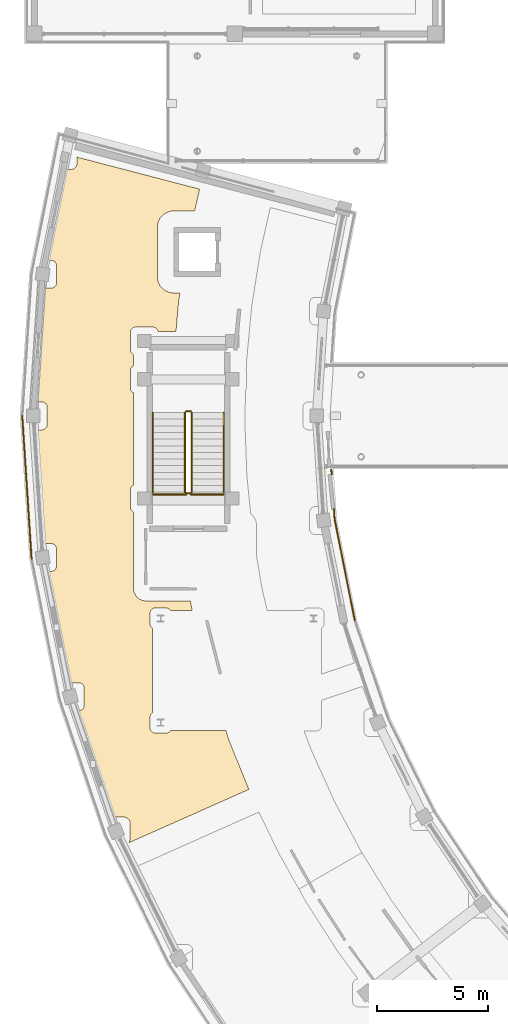
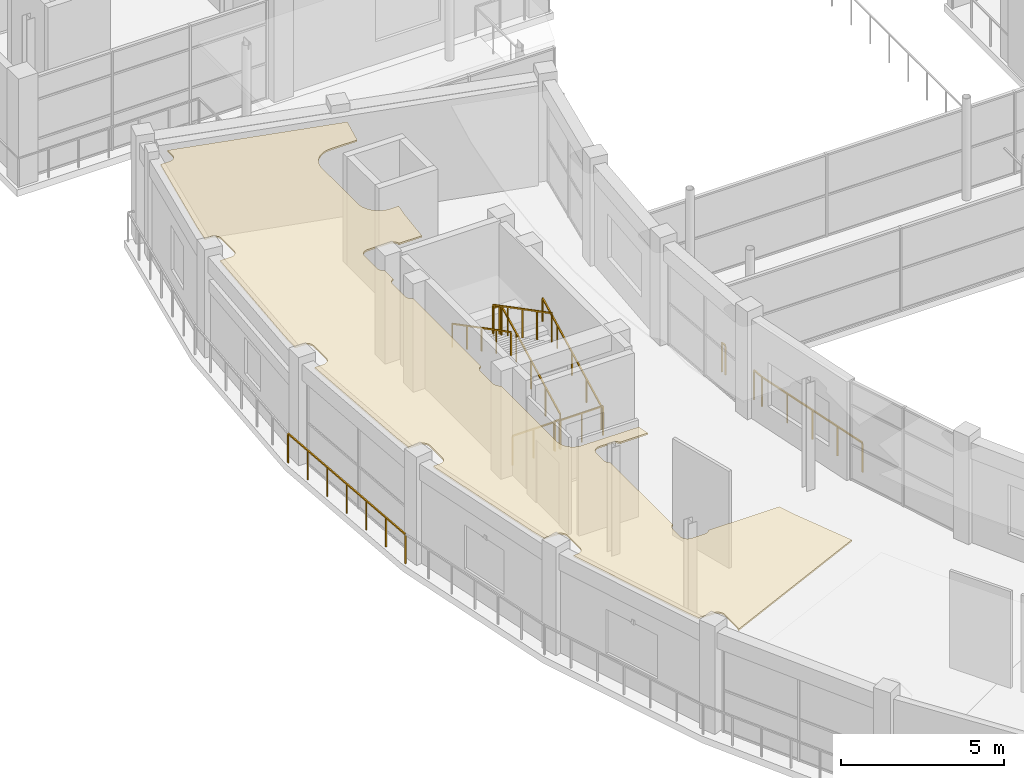
# One storey, part 60 of 72: 12 railings, 1 covering.
"""IFC4 building model written with IfcOpenShell, lengths in metres."""

from ifc_helpers import new_model, si_unit, direction, frame, origin, origin_2d, place, context, subcontext, project, spatial, polyline, rectangle, outline, extrude, material, layer, layer_set, type_object, element, save


model = new_model("IFC4")

# Units and contexts
model_context = context("Model", 3, precision=1e-05, world=origin(), true_north=direction((0.0, 1.0)))
body_context = subcontext(model_context, "Body", "Model", "MODEL_VIEW")
ifc_project = project(units=[si_unit("LENGTHUNIT", "METRE"), si_unit("AREAUNIT", "SQUARE_METRE"), si_unit("VOLUMEUNIT", "CUBIC_METRE"), si_unit("PLANEANGLEUNIT", "RADIAN"), si_unit("MASSUNIT", "GRAM", prefix="KILO")], contexts=[model_context])

# Site, building, storey
site_placement = place(None, origin())
site = spatial("IfcSite", under=ifc_project, at=site_placement, CompositionType="ELEMENT")
building_placement = place(site_placement, origin())
building = spatial("IfcBuilding", under=site, at=building_placement, Name="Saryqyr Civic Hall", CompositionType="ELEMENT")
storey_placement = place(building_placement, frame((0.0, 0.0, 17.25)))
storey = spatial("IfcBuildingStorey", under=building, at=storey_placement, Name="L04", CompositionType="ELEMENT", Elevation=17.25)

# Covering
ifc_material_1 = material(Name="Mineral-fibre acoustic ceiling tile", Category="acoustic_tile")
ifc_layer_1 = layer(ifc_material_1, 0.06005859375, Name="Mineral-fibre acoustic ceiling tile")
ifc_layer_set_1 = layer_set([ifc_layer_1], Name="Mineral-fibre acoustic ceiling tile")
covering_type = type_object("IfcCoveringType", Name="INT-COV-CEIL-60", PredefinedType="CEILING", material=ifc_layer_set_1)
covering_placement = place(storey_placement, frame((0.0, 0.0, 3.699951171875)))
element("IfcCovering", 1, at=covering_placement, inside=storey, type_object=covering_type, Name="Acoustic ceiling Staff Dining Hall & Steppe Panorama Canteen", PredefinedType="CEILING", context=body_context, shape_type="SweptSolid", body=[
    extrude(outline(polyline([(9.928466796875, 70.68798828125), (10.049560546875, 70.68798828125), (10.07421875, 70.689208984375), (10.098388671875, 70.692626953125), (10.122314453125, 70.69873046875), (10.145263671875, 70.706787109375), (10.16748046875, 70.71728515625), (10.1884765625, 70.72998046875), (10.208251953125, 70.74462890625), (10.226318359375, 70.760986328125), (10.242919921875, 70.779296875), (10.257568359375, 70.799072265625), (10.27001953125, 70.820068359375), (10.280517578125, 70.84228515625), (10.288818359375, 70.865234375), (10.294921875, 70.88916015625), (10.29833984375, 70.913330078125), (10.299560546875, 70.93798828125), (10.299560546875, 71.697998046875), (10.29833984375, 71.722412109375), (10.294921875, 71.74658203125), (10.288818359375, 71.7705078125), (10.280517578125, 71.793701171875), (10.27001953125, 71.815673828125), (10.257568359375, 71.8369140625), (10.242919921875, 71.8564453125), (10.226318359375, 71.874755859375), (10.208251953125, 71.89111328125), (10.1884765625, 71.90576171875), (10.16748046875, 71.91845703125), (10.145263671875, 71.928955078125), (10.122314453125, 71.93701171875), (10.098388671875, 71.943115234375), (10.07421875, 71.94677734375), (10.049560546875, 71.947998046875), (9.6064453125, 71.947998046875), (9.47021484375, 72.480712890625), (8.597412109375, 76.867919921875), (8.585205078125, 76.97412109375), (8.79931640625, 76.97412109375), (8.82373046875, 76.975341796875), (8.847900390625, 76.97900390625), (8.871826171875, 76.985107421875), (8.89501953125, 76.9931640625), (8.9169921875, 77.003662109375), (8.93798828125, 77.016357421875), (8.957763671875, 77.031005859375), (8.97607421875, 77.04736328125), (8.992431640625, 77.065673828125), (9.007080078125, 77.085205078125), (9.019775390625, 77.1064453125), (9.0302734375, 77.12841796875), (9.038330078125, 77.151611328125), (9.04443359375, 77.17529296875), (9.048095703125, 77.19970703125), (9.04931640625, 77.22412109375), (9.04931640625, 77.984130859375), (9.048095703125, 78.0087890625), (9.04443359375, 78.032958984375), (9.038330078125, 78.056884765625), (9.0302734375, 78.079833984375), (9.019775390625, 78.10205078125), (9.007080078125, 78.123046875), (8.992431640625, 78.142822265625), (8.97607421875, 78.160888671875), (8.957763671875, 78.177490234375), (8.93798828125, 78.192138671875), (8.9169921875, 78.20458984375), (8.89501953125, 78.215087890625), (8.871826171875, 78.223388671875), (8.847900390625, 78.2294921875), (8.82373046875, 78.23291015625), (8.79931640625, 78.234130859375), (8.43896484375, 78.234130859375), (8.37060546875, 78.822265625), (8.075927734375, 83.318359375), (8.076904296875, 83.3701171875), (8.3798828125, 83.3701171875), (8.404541015625, 83.37109375), (8.4287109375, 83.374755859375), (8.45263671875, 83.380859375), (8.4755859375, 83.388916015625), (8.497802734375, 83.3994140625), (8.518798828125, 83.412109375), (8.53857421875, 83.4267578125), (8.556884765625, 83.443115234375), (8.5732421875, 83.46142578125), (8.587890625, 83.481201171875), (8.6005859375, 83.502197265625), (8.611083984375, 83.5244140625), (8.619140625, 83.54736328125), (8.625244140625, 83.5712890625), (8.62890625, 83.595458984375), (8.6298828125, 83.6201171875), (8.6298828125, 84.3798828125), (8.62890625, 84.404541015625), (8.625244140625, 84.4287109375), (8.619140625, 84.45263671875), (8.611083984375, 84.4755859375), (8.6005859375, 84.497802734375), (8.587890625, 84.518798828125), (8.5732421875, 84.53857421875), (8.556884765625, 84.556884765625), (8.53857421875, 84.5732421875), (8.518798828125, 84.587890625), (8.497802734375, 84.6005859375), (8.4755859375, 84.611083984375), (8.45263671875, 84.619140625), (8.4287109375, 84.625244140625), (8.404541015625, 84.62890625), (8.3798828125, 84.6298828125), (8.10107421875, 84.6298828125), (8.11279296875, 85.2431640625), (8.416748046875, 89.765869140625), (8.79931640625, 89.765869140625), (8.82373046875, 89.76708984375), (8.847900390625, 89.7705078125), (8.871826171875, 89.776611328125), (8.89501953125, 89.784912109375), (8.9169921875, 89.79541015625), (8.93798828125, 89.807861328125), (8.957763671875, 89.822509765625), (8.97607421875, 89.839111328125), (8.992431640625, 89.857177734375), (9.007080078125, 89.876953125), (9.019775390625, 89.89794921875), (9.0302734375, 89.920166015625), (9.038330078125, 89.943115234375), (9.04443359375, 89.967041015625), (9.048095703125, 89.9912109375), (9.04931640625, 90.015869140625), (9.04931640625, 90.77587890625), (9.048095703125, 90.80029296875), (9.04443359375, 90.82470703125), (9.038330078125, 90.848388671875), (9.0302734375, 90.87158203125), (9.019775390625, 90.8935546875), (9.007080078125, 90.914794921875), (8.992431640625, 90.934326171875), (8.97607421875, 90.95263671875), (8.957763671875, 90.968994140625), (8.93798828125, 90.983642578125), (8.9169921875, 90.996337890625), (8.89501953125, 91.0068359375), (8.871826171875, 91.014892578125), (8.847900390625, 91.02099609375), (8.82373046875, 91.024658203125), (8.79931640625, 91.02587890625), (8.60302734375, 91.02587890625), (8.697021484375, 91.632568359375), (9.4072265625, 95.133056640625), (9.719482421875, 95.133056640625), (9.743896484375, 95.13427734375), (9.768310546875, 95.137939453125), (9.7919921875, 95.143798828125), (9.815185546875, 95.152099609375), (9.837158203125, 95.16259765625), (9.8583984375, 95.17529296875), (9.8779296875, 95.189697265625), (9.896240234375, 95.206298828125), (9.91259765625, 95.224609375), (9.92724609375, 95.244140625), (9.93994140625, 95.265380859375), (9.950439453125, 95.287353515625), (9.95849609375, 95.310546875), (9.964599609375, 95.334228515625), (9.96826171875, 95.358642578125), (9.969482421875, 95.383056640625), (9.969482421875, 95.68212890625), (15.509521484375, 94.239013671875), (15.287109375, 93.25), (14.35009765625, 93.25), (14.330322265625, 93.24951171875), (14.296142578125, 93.247802734375), (14.257080078125, 93.243896484375), (14.222900390625, 93.239013671875), (14.1845703125, 93.231201171875), (14.151123046875, 93.222900390625), (14.113525390625, 93.21142578125), (14.081298828125, 93.199951171875), (14.044921875, 93.18505859375), (14.013916015625, 93.17041015625), (13.9794921875, 93.15185546875), (13.949951171875, 93.134033203125), (13.917236328125, 93.1123046875), (13.8896484375, 93.091796875), (13.859375, 93.06689453125), (13.833984375, 93.0439453125), (13.80615234375, 93.01611328125), (13.783203125, 92.99072265625), (13.75830078125, 92.960205078125), (13.73779296875, 92.9326171875), (13.7158203125, 92.900146484375), (13.6982421875, 92.87060546875), (13.6796875, 92.8359375), (13.6650390625, 92.804931640625), (13.64990234375, 92.768798828125), (13.638427734375, 92.736328125), (13.627197265625, 92.69873046875), (13.61865234375, 92.66552734375), (13.611083984375, 92.626953125), (13.60595703125, 92.593017578125), (13.602294921875, 92.553955078125), (13.6005859375, 92.51953125), (13.60009765625, 92.5), (13.60009765625, 90.300048828125), (13.6005859375, 90.280517578125), (13.602294921875, 90.24609375), (13.60595703125, 90.20703125), (13.611083984375, 90.173095703125), (13.61865234375, 90.134521484375), (13.627197265625, 90.101318359375), (13.638427734375, 90.063720703125), (13.64990234375, 90.03125), (13.6650390625, 89.9951171875), (13.6796875, 89.964111328125), (13.6982421875, 89.929443359375), (13.7158203125, 89.89990234375), (13.73779296875, 89.8671875), (13.75830078125, 89.839599609375), (13.783203125, 89.809326171875), (13.80615234375, 89.783935546875), (13.833984375, 89.756103515625), (13.859375, 89.733154296875), (13.8896484375, 89.708251953125), (13.917236328125, 89.687744140625), (13.949951171875, 89.666015625), (13.9794921875, 89.648193359375), (14.013916015625, 89.629638671875), (14.044921875, 89.614990234375), (14.081298828125, 89.60009765625), (14.113525390625, 89.58837890625), (14.151123046875, 89.5771484375), (14.1845703125, 89.568603515625), (14.222900390625, 89.56103515625), (14.257080078125, 89.555908203125), (14.296142578125, 89.55224609375), (14.330322265625, 89.550537109375), (14.35009765625, 89.550048828125), (14.6240234375, 89.550048828125), (14.560791015625, 89.1416015625), (14.556396484375, 89.10498046875), (14.44482421875, 87.820068359375), (13.63232421875, 87.820068359375), (13.629150390625, 87.83251953125), (13.62109375, 87.855712890625), (13.610595703125, 87.877685546875), (13.597900390625, 87.89892578125), (13.583251953125, 87.918701171875), (13.56689453125, 87.936767578125), (13.548583984375, 87.953369140625), (13.52880859375, 87.968017578125), (13.5078125, 87.98046875), (13.485595703125, 87.990966796875), (13.462646484375, 87.999267578125), (13.438720703125, 88.005126953125), (13.41455078125, 88.0087890625), (13.389892578125, 88.010009765625), (12.6298828125, 88.010009765625), (12.60546875, 88.0087890625), (12.581298828125, 88.005126953125), (12.557373046875, 87.999267578125), (12.5341796875, 87.990966796875), (12.51220703125, 87.98046875), (12.4912109375, 87.968017578125), (12.471435546875, 87.953369140625), (12.453125, 87.936767578125), (12.436767578125, 87.918701171875), (12.422119140625, 87.89892578125), (12.409423828125, 87.877685546875), (12.39892578125, 87.855712890625), (12.390869140625, 87.83251953125), (12.384765625, 87.808837890625), (12.381103515625, 87.784423828125), (12.3798828125, 87.760009765625), (12.3798828125, 87.0), (12.381103515625, 86.9755859375), (12.384765625, 86.951171875), (12.390869140625, 86.927490234375), (12.39892578125, 86.904296875), (12.409423828125, 86.882080078125), (12.422119140625, 86.861083984375), (12.436767578125, 86.84130859375), (12.453125, 86.8232421875), (12.471435546875, 86.806640625), (12.4912109375, 86.7919921875), (12.51220703125, 86.779541015625), (12.530029296875, 86.77099609375), (12.530029296875, 86.2587890625), (12.51220703125, 86.25048828125), (12.4912109375, 86.23779296875), (12.471435546875, 86.223388671875), (12.453125, 86.206787109375), (12.436767578125, 86.188720703125), (12.422119140625, 86.1689453125), (12.409423828125, 86.147705078125), (12.39892578125, 86.125732421875), (12.390869140625, 86.1025390625), (12.384765625, 86.078857421875), (12.381103515625, 86.054443359375), (12.3798828125, 86.030029296875), (12.3798828125, 85.27001953125), (12.381103515625, 85.24560546875), (12.384765625, 85.22119140625), (12.390869140625, 85.197509765625), (12.39892578125, 85.17431640625), (12.409423828125, 85.152099609375), (12.422119140625, 85.131103515625), (12.436767578125, 85.111328125), (12.453125, 85.09326171875), (12.471435546875, 85.07666015625), (12.4912109375, 85.06201171875), (12.51220703125, 85.049560546875), (12.530029296875, 85.041015625), (12.530029296875, 80.873779296875), (12.51220703125, 80.865478515625), (12.4912109375, 80.852783203125), (12.471435546875, 80.83837890625), (12.453125, 80.82177734375), (12.436767578125, 80.8037109375), (12.422119140625, 80.783935546875), (12.409423828125, 80.7626953125), (12.39892578125, 80.74072265625), (12.390869140625, 80.717529296875), (12.384765625, 80.69384765625), (12.381103515625, 80.66943359375), (12.3798828125, 80.64501953125), (12.3798828125, 79.885009765625), (12.381103515625, 79.860595703125), (12.384765625, 79.836181640625), (12.390869140625, 79.8125), (12.39892578125, 79.789306640625), (12.409423828125, 79.76708984375), (12.422119140625, 79.74609375), (12.436767578125, 79.726318359375), (12.453125, 79.708251953125), (12.471435546875, 79.691650390625), (12.4912109375, 79.677001953125), (12.51220703125, 79.66455078125), (12.530029296875, 79.656005859375), (12.530029296875, 79.0), (12.530029296875, 78.99609375), (12.530029296875, 76.197998046875), (12.53271484375, 76.144287109375), (12.54052734375, 76.09130859375), (12.5537109375, 76.0390625), (12.571533203125, 75.988525390625), (12.594482421875, 75.93994140625), (12.6220703125, 75.893798828125), (12.65380859375, 75.8505859375), (12.689697265625, 75.810546875), (12.7294921875, 75.7744140625), (12.7724609375, 75.7421875), (12.818359375, 75.71435546875), (12.86669921875, 75.691162109375), (12.917236328125, 75.672607421875), (12.969482421875, 75.6591796875), (13.0224609375, 75.651123046875), (13.076171875, 75.648193359375), (15.0966796875, 75.63330078125), (15.174560546875, 75.21240234375), (14.1923828125, 75.211669921875), (14.18798828125, 75.218994140625), (14.17333984375, 75.238525390625), (14.15673828125, 75.2568359375), (14.138671875, 75.273193359375), (14.118896484375, 75.287841796875), (14.097900390625, 75.300537109375), (14.07568359375, 75.31103515625), (14.052490234375, 75.319091796875), (14.02880859375, 75.3251953125), (14.00439453125, 75.328857421875), (13.97998046875, 75.330078125), (13.52001953125, 75.330078125), (13.49560546875, 75.328857421875), (13.47119140625, 75.3251953125), (13.447509765625, 75.319091796875), (13.42431640625, 75.31103515625), (13.402099609375, 75.300537109375), (13.381103515625, 75.287841796875), (13.361328125, 75.273193359375), (13.34326171875, 75.2568359375), (13.32666015625, 75.238525390625), (13.31201171875, 75.218994140625), (13.299560546875, 75.19775390625), (13.2890625, 75.17578125), (13.28076171875, 75.152587890625), (13.27490234375, 75.12890625), (13.271240234375, 75.1044921875), (13.27001953125, 75.080078125), (13.27001953125, 74.6201171875), (13.271240234375, 74.595458984375), (13.27490234375, 74.5712890625), (13.28076171875, 74.54736328125), (13.2890625, 74.5244140625), (13.299560546875, 74.502197265625), (13.31201171875, 74.481201171875), (13.32666015625, 74.46142578125), (13.34326171875, 74.443115234375), (13.361328125, 74.4267578125), (13.381103515625, 74.412109375), (13.384033203125, 74.410400390625), (13.38818359375, 70.592041015625), (13.381103515625, 70.587890625), (13.361328125, 70.5732421875), (13.34326171875, 70.556884765625), (13.32666015625, 70.53857421875), (13.31201171875, 70.518798828125), (13.299560546875, 70.497802734375), (13.2890625, 70.4755859375), (13.28076171875, 70.45263671875), (13.27490234375, 70.4287109375), (13.271240234375, 70.404541015625), (13.27001953125, 70.3798828125), (13.27001953125, 69.919921875), (13.271240234375, 69.8955078125), (13.27490234375, 69.87109375), (13.28076171875, 69.847412109375), (13.2890625, 69.82421875), (13.299560546875, 69.80224609375), (13.31201171875, 69.781005859375), (13.32666015625, 69.761474609375), (13.34326171875, 69.7431640625), (13.361328125, 69.726806640625), (13.381103515625, 69.712158203125), (13.402099609375, 69.699462890625), (13.42431640625, 69.68896484375), (13.447509765625, 69.680908203125), (13.47119140625, 69.6748046875), (13.49560546875, 69.671142578125), (13.52001953125, 69.669921875), (13.97998046875, 69.669921875), (14.00439453125, 69.671142578125), (14.02880859375, 69.6748046875), (14.052490234375, 69.680908203125), (14.07568359375, 69.68896484375), (14.097900390625, 69.699462890625), (14.118896484375, 69.712158203125), (14.138671875, 69.726806640625), (14.15673828125, 69.7431640625), (14.17333984375, 69.761474609375), (14.18798828125, 69.781005859375), (14.189208984375, 69.783203125), (16.698486328125, 69.781982421875), (16.854248046875, 69.30810546875), (16.866943359375, 69.2734375), (17.734130859375, 67.1328125), (12.310546875, 64.719970703125), (12.31787109375, 64.7294921875), (12.330322265625, 64.750732421875), (12.3408203125, 64.772705078125), (12.34912109375, 64.7958984375), (12.35498046875, 64.819580078125), (12.358642578125, 64.843994140625), (12.35986328125, 64.868408203125), (12.35986328125, 65.62841796875), (12.358642578125, 65.653076171875), (12.35498046875, 65.67724609375), (12.34912109375, 65.701171875), (12.3408203125, 65.72412109375), (12.330322265625, 65.746337890625), (12.31787109375, 65.767333984375), (12.30322265625, 65.787109375), (12.28662109375, 65.805419921875), (12.2685546875, 65.82177734375), (12.248779296875, 65.83642578125), (12.227783203125, 65.84912109375), (12.20556640625, 65.859619140625), (12.1826171875, 65.86767578125), (12.15869140625, 65.873779296875), (12.134521484375, 65.877197265625), (12.10986328125, 65.87841796875), (11.578857421875, 65.87841796875), (11.395263671875, 66.33154296875), (9.96484375, 70.54541015625), (9.928466796875, 70.68798828125)])), origin(), (0.0, 0.0, 1.0), 0.06005859375),
])

# Railings
ifc_material_2 = material(Name="Warm brushed brass and laminated glass", Category="glass")
ifc_layer_2 = layer(ifc_material_2, 0.06005859375, Name="Warm brushed brass and laminated glass")
ifc_layer_set_2 = layer_set([ifc_layer_2], Name="Warm brushed brass and laminated glass")
railing_type_1 = type_object("IfcRailingType", Name="INT-RLG-BAL-1100", PredefinedType="BALUSTRADE", material=ifc_layer_set_2)
railing_1_placement = place(storey_placement, frame((15.14990234375, 80.550048828125, 0.15576171875)))
element("IfcRailing", 2, at=railing_1_placement, inside=storey, type_object=railing_type_1, Name="L04 ST-4 stair guard 1", PredefinedType="BALUSTRADE", context=body_context, shape_type="SweptSolid", body=[
    extrude(rectangle(XDim=0.048095703125, YDim=0.048095703125, at=origin_2d()), frame((0.0, 0.0, 1.076171875), z_axis=(0.0, 0.887497496945, 0.460812535545), x_axis=(-1.0, 0.0, 0.0)), (0.0, 0.0, 1.0), 4.05615234375),
    extrude(rectangle(XDim=0.0419921875, YDim=0.0419921875, at=origin_2d()), origin(), (0.0, 0.0, 1.0), 1.052001953125),
    extrude(rectangle(XDim=0.0419921875, YDim=0.0419921875, at=origin_2d()), frame((0.0, 0.89990234375, 0.46728515625)), (0.0, 0.0, 1.0), 1.052001953125),
    extrude(rectangle(XDim=0.0419921875, YDim=0.0419921875, at=origin_2d()), frame((0.0, 1.7998046875, 0.9345703125)), (0.0, 0.0, 1.0), 1.052001953125),
    extrude(rectangle(XDim=0.0419921875, YDim=0.0419921875, at=origin_2d()), frame((0.0, 2.699951171875, 1.40185546875)), (0.0, 0.0, 1.0), 1.052001953125),
    extrude(rectangle(XDim=0.0419921875, YDim=0.0419921875, at=origin_2d()), frame((0.0, 3.599853515625, 1.869140625)), (0.0, 0.0, 1.0), 1.052001953125),
])
railing_2_placement = place(storey_placement, frame((15.10009765625, 84.199951171875, 2.02490234375)))
element("IfcRailing", 3, at=railing_2_placement, inside=storey, type_object=railing_type_1, Name="L04 ST-4 stair guard 2", PredefinedType="BALUSTRADE", context=body_context, shape_type="SweptSolid", body=[
    extrude(rectangle(XDim=0.048095703125, YDim=0.048095703125, at=origin_2d()), frame((0.0, 0.0, 1.076171875), z_axis=(-1.0, 0.0, 0.0), x_axis=(0.0, -1.0, 0.0)), (0.0, 0.0, 1.0), 0.2001953125),
    extrude(rectangle(XDim=0.0419921875, YDim=0.0419921875, at=origin_2d()), origin(), (0.0, 0.0, 1.0), 1.052001953125),
    extrude(rectangle(XDim=0.0419921875, YDim=0.0419921875, at=origin_2d()), frame((-0.2001953125, 0.0, 0.0)), (0.0, 0.0, 1.0), 1.052001953125),
])
railing_3_placement = place(storey_placement, frame((14.85009765625, 84.14990234375, 2.1806640625)))
element("IfcRailing", 4, at=railing_3_placement, inside=storey, type_object=railing_type_1, Name="L04 ST-4 stair guard 3", PredefinedType="BALUSTRADE", context=body_context, shape_type="SweptSolid", body=[
    extrude(rectangle(XDim=0.048095703125, YDim=0.048095703125, at=origin_2d()), frame((0.0, 0.0, 1.076171875), z_axis=(0.0, -0.887472880572, 0.460859942119), x_axis=(1.0, 0.0, 0.0)), (0.0, 0.0, 1.0), 4.056396484375),
    extrude(rectangle(XDim=0.0419921875, YDim=0.0419921875, at=origin_2d()), origin(), (0.0, 0.0, 1.0), 1.052001953125),
    extrude(rectangle(XDim=0.0419921875, YDim=0.0419921875, at=origin_2d()), frame((0.0, -0.89990234375, 0.46728515625)), (0.0, 0.0, 1.0), 1.052001953125),
    extrude(rectangle(XDim=0.0419921875, YDim=0.0419921875, at=origin_2d()), frame((0.0, -1.7998046875, 0.9345703125)), (0.0, 0.0, 1.0), 1.052001953125),
    extrude(rectangle(XDim=0.0419921875, YDim=0.0419921875, at=origin_2d()), frame((0.0, -2.699951171875, 1.402099609375)), (0.0, 0.0, 1.0), 1.052001953125),
    extrude(rectangle(XDim=0.0419921875, YDim=0.0419921875, at=origin_2d()), frame((0.0, -3.599853515625, 1.869384765625)), (0.0, 0.0, 1.0), 1.052001953125),
])
railing_4_placement = place(storey_placement, frame((15.10009765625, 80.5, 0.0)))
element("IfcRailing", 5, at=railing_4_placement, inside=storey, type_object=railing_type_1, Name="L04 ST-4 stair guard 4", PredefinedType="BALUSTRADE", context=body_context, shape_type="SweptSolid", body=[
    extrude(rectangle(XDim=0.048095703125, YDim=0.048095703125, at=origin_2d()), frame((0.0, 0.0, 1.076171875), z_axis=(-1.0, 0.0, 0.0), x_axis=(0.0, -1.0, 0.0)), (0.0, 0.0, 1.0), 0.2001953125),
    extrude(rectangle(XDim=0.0419921875, YDim=0.0419921875, at=origin_2d()), origin(), (0.0, 0.0, 1.0), 1.052001953125),
    extrude(rectangle(XDim=0.0419921875, YDim=0.0419921875, at=origin_2d()), frame((-0.2001953125, 0.0, 0.0)), (0.0, 0.0, 1.0), 1.052001953125),
])
railing_5_placement = place(storey_placement, frame((7.923583984375, 77.5390625, 0.0)))
element("IfcRailing", 6, at=railing_5_placement, inside=storey, type_object=railing_type_1, Name="Interior deck safety balustrade L04-010", PredefinedType="BALUSTRADE", context=body_context, shape_type="SweptSolid", body=[
    extrude(rectangle(XDim=0.048095703125, YDim=0.048095703125, at=origin_2d()), frame((0.0, 0.0, 1.09619140625), z_axis=(-0.0653827723, 0.997860257294, 0.0), x_axis=(-0.997860257294, -0.0653827723, 0.0)), (0.0, 0.0, 1.0), 6.474853515625),
    extrude(rectangle(XDim=0.0419921875, YDim=0.0419921875, at=origin_2d()), origin(), (0.0, 0.0, 1.0), 1.072021484375),
    extrude(rectangle(XDim=0.0419921875, YDim=0.0419921875, at=origin_2d()), frame((-0.070556640625, 1.076904296875, 0.0)), (0.0, 0.0, 1.0), 1.072021484375),
    extrude(rectangle(XDim=0.0419921875, YDim=0.0419921875, at=origin_2d()), frame((-0.14111328125, 2.153564453125, 0.0)), (0.0, 0.0, 1.0), 1.072021484375),
    extrude(rectangle(XDim=0.0419921875, YDim=0.0419921875, at=origin_2d()), frame((-0.211669921875, 3.23046875, 0.0)), (0.0, 0.0, 1.0), 1.072021484375),
    extrude(rectangle(XDim=0.0419921875, YDim=0.0419921875, at=origin_2d()), frame((-0.2822265625, 4.307373046875, 0.0)), (0.0, 0.0, 1.0), 1.072021484375),
    extrude(rectangle(XDim=0.0419921875, YDim=0.0419921875, at=origin_2d()), frame((-0.352783203125, 5.384033203125, 0.0)), (0.0, 0.0, 1.0), 1.072021484375),
    extrude(rectangle(XDim=0.0419921875, YDim=0.0419921875, at=origin_2d()), frame((-0.42333984375, 6.4609375, 0.0)), (0.0, 0.0, 1.0), 1.072021484375),
])
railing_6_placement = place(storey_placement, frame((21.459716796875, 81.56005859375, 0.0)))
element("IfcRailing", 7, at=railing_6_placement, inside=storey, type_object=railing_type_1, Name="Interior deck safety balustrade L04-086", PredefinedType="BALUSTRADE", context=body_context, shape_type="SweptSolid", body=[
    extrude(rectangle(XDim=0.048095703125, YDim=0.048095703125, at=origin_2d()), frame((0.0, 0.0, 1.09619140625), z_axis=(0.065162111713, -0.99787469113, 0.0), x_axis=(0.99787469113, 0.065162111713, 0.0)), (0.0, 0.0, 1.0), 0.191162109375),
    extrude(rectangle(XDim=0.0419921875, YDim=0.0419921875, at=origin_2d()), origin(), (0.0, 0.0, 1.0), 1.072021484375),
    extrude(rectangle(XDim=0.0419921875, YDim=0.0419921875, at=origin_2d()), frame((0.012451171875, -0.190673828125, 0.0)), (0.0, 0.0, 1.0), 1.072021484375),
])
railing_7_placement = place(storey_placement, frame((21.57568359375, 79.789306640625, 0.0)))
element("IfcRailing", 8, at=railing_7_placement, inside=storey, type_object=railing_type_1, Name="Interior deck safety balustrade L04-087", PredefinedType="BALUSTRADE", context=body_context, shape_type="SweptSolid", body=[
    extrude(rectangle(XDim=0.048095703125, YDim=0.048095703125, at=origin_2d()), frame((0.0, 0.0, 1.09619140625), z_axis=(0.065619137912, -0.997844741801, 0.0), x_axis=(0.997844741801, 0.065619137912, 0.0)), (0.0, 0.0, 1.0), 0.4501953125),
    extrude(rectangle(XDim=0.0419921875, YDim=0.0419921875, at=origin_2d()), origin(), (0.0, 0.0, 1.0), 1.072021484375),
    extrude(rectangle(XDim=0.0419921875, YDim=0.0419921875, at=origin_2d()), frame((0.029541015625, -0.44921875, 0.0)), (0.0, 0.0, 1.0), 1.072021484375),
])
railing_8_placement = place(storey_placement, frame((21.605224609375, 79.340087890625, 0.0)))
element("IfcRailing", 9, at=railing_8_placement, inside=storey, type_object=railing_type_1, Name="Interior deck safety balustrade L04-088", PredefinedType="BALUSTRADE", context=body_context, shape_type="SweptSolid", body=[
    extrude(rectangle(XDim=0.048095703125, YDim=0.048095703125, at=origin_2d()), frame((0.0, 0.0, 1.09619140625), z_axis=(0.19506034779, -0.980791242171, 0.0), x_axis=(0.980791242171, 0.19506034779, 0.0)), (0.0, 0.0, 1.0), 4.669677734375),
    extrude(rectangle(XDim=0.0419921875, YDim=0.0419921875, at=origin_2d()), origin(), (0.0, 0.0, 1.0), 1.072021484375),
    extrude(rectangle(XDim=0.0419921875, YDim=0.0419921875, at=origin_2d()), frame((0.227783203125, -1.14501953125, 0.0)), (0.0, 0.0, 1.0), 1.072021484375),
    extrude(rectangle(XDim=0.0419921875, YDim=0.0419921875, at=origin_2d()), frame((0.45556640625, -2.2900390625, 0.0)), (0.0, 0.0, 1.0), 1.072021484375),
    extrude(rectangle(XDim=0.0419921875, YDim=0.0419921875, at=origin_2d()), frame((0.68310546875, -3.43505859375, 0.0)), (0.0, 0.0, 1.0), 1.072021484375),
    extrude(rectangle(XDim=0.0419921875, YDim=0.0419921875, at=origin_2d()), frame((0.910888671875, -4.580078125, 0.0)), (0.0, 0.0, 1.0), 1.072021484375),
])
for number, where, name in (
    (10, (13.39501953125, 80.449951171875, 0.0), "Interior deck safety balustrade L04-103"),
    (11, (15.10009765625, 80.449951171875, 0.0), "Interior deck safety balustrade L04-104"),
):
    element("IfcRailing", number, at=place(storey_placement, frame(where)), inside=storey, type_object=railing_type_1, Name=name, PredefinedType="BALUSTRADE", context=body_context, shape_type="SweptSolid", body=[
        extrude(rectangle(XDim=0.048095703125, YDim=0.048095703125, at=origin_2d()), frame((0.0, 0.0, 1.09619140625), z_axis=(1.0, 0.0, 0.0), x_axis=(0.0, 1.0, 0.0)), (0.0, 0.0, 1.0), 1.5048828125),
        extrude(rectangle(XDim=0.0419921875, YDim=0.0419921875, at=origin_2d()), origin(), (0.0, 0.0, 1.0), 1.072021484375),
        extrude(rectangle(XDim=0.0419921875, YDim=0.0419921875, at=origin_2d()), frame((0.75244140625, 0.0, 0.0)), (0.0, 0.0, 1.0), 1.072021484375),
        extrude(rectangle(XDim=0.0419921875, YDim=0.0419921875, at=origin_2d()), frame((1.5048828125, 0.0, 0.0)), (0.0, 0.0, 1.0), 1.072021484375),
    ])
ifc_material_3 = material(Name="Stainless steel", Category="steel")
ifc_layer_3 = layer(ifc_material_3, 0.050048828125, Name="Stainless steel")
ifc_layer_set_3 = layer_set([ifc_layer_3], Name="Stainless steel")
railing_type_2 = type_object("IfcRailingType", Name="INT-RLG-HND-900", PredefinedType="HANDRAIL", material=ifc_layer_set_3)
railing_9_placement = place(storey_placement, frame((16.60009765625, 80.550048828125, 0.15576171875)))
element("IfcRailing", 12, at=railing_9_placement, inside=storey, type_object=railing_type_2, Name="L04 ST-4 stair handrail 1", PredefinedType="HANDRAIL", context=body_context, shape_type="SweptSolid", body=[
    extrude(rectangle(XDim=0.048095703125, YDim=0.048095703125, at=origin_2d()), frame((0.0, 0.0, 0.8759765625), z_axis=(0.0, 0.887497496945, 0.460812535545), x_axis=(-1.0, 0.0, 0.0)), (0.0, 0.0, 1.0), 4.05615234375),
    extrude(rectangle(XDim=0.0419921875, YDim=0.0419921875, at=origin_2d()), origin(), (0.0, 0.0, 1.0), 0.851806640625),
    extrude(rectangle(XDim=0.0419921875, YDim=0.0419921875, at=origin_2d()), frame((0.0, 0.89990234375, 0.46728515625)), (0.0, 0.0, 1.0), 0.851806640625),
    extrude(rectangle(XDim=0.0419921875, YDim=0.0419921875, at=origin_2d()), frame((0.0, 1.7998046875, 0.9345703125)), (0.0, 0.0, 1.0), 0.851806640625),
    extrude(rectangle(XDim=0.0419921875, YDim=0.0419921875, at=origin_2d()), frame((0.0, 2.699951171875, 1.40185546875)), (0.0, 0.0, 1.0), 0.851806640625),
    extrude(rectangle(XDim=0.0419921875, YDim=0.0419921875, at=origin_2d()), frame((0.0, 3.599853515625, 1.869140625)), (0.0, 0.0, 1.0), 0.851806640625),
])
railing_10_placement = place(storey_placement, frame((13.39990234375, 84.14990234375, 2.1806640625)))
element("IfcRailing", 13, at=railing_10_placement, inside=storey, type_object=railing_type_2, Name="L04 ST-4 stair handrail 2", PredefinedType="HANDRAIL", context=body_context, shape_type="SweptSolid", body=[
    extrude(rectangle(XDim=0.048095703125, YDim=0.048095703125, at=origin_2d()), frame((0.0, 0.0, 0.8759765625), z_axis=(0.0, -0.887472880572, 0.460859942119), x_axis=(1.0, 0.0, 0.0)), (0.0, 0.0, 1.0), 4.056396484375),
    extrude(rectangle(XDim=0.0419921875, YDim=0.0419921875, at=origin_2d()), origin(), (0.0, 0.0, 1.0), 0.851806640625),
    extrude(rectangle(XDim=0.0419921875, YDim=0.0419921875, at=origin_2d()), frame((0.0, -0.89990234375, 0.46728515625)), (0.0, 0.0, 1.0), 0.851806640625),
    extrude(rectangle(XDim=0.0419921875, YDim=0.0419921875, at=origin_2d()), frame((0.0, -1.7998046875, 0.9345703125)), (0.0, 0.0, 1.0), 0.851806640625),
    extrude(rectangle(XDim=0.0419921875, YDim=0.0419921875, at=origin_2d()), frame((0.0, -2.699951171875, 1.402099609375)), (0.0, 0.0, 1.0), 0.851806640625),
    extrude(rectangle(XDim=0.0419921875, YDim=0.0419921875, at=origin_2d()), frame((0.0, -3.599853515625, 1.869384765625)), (0.0, 0.0, 1.0), 0.851806640625),
])

save(model, "model.ifc")
